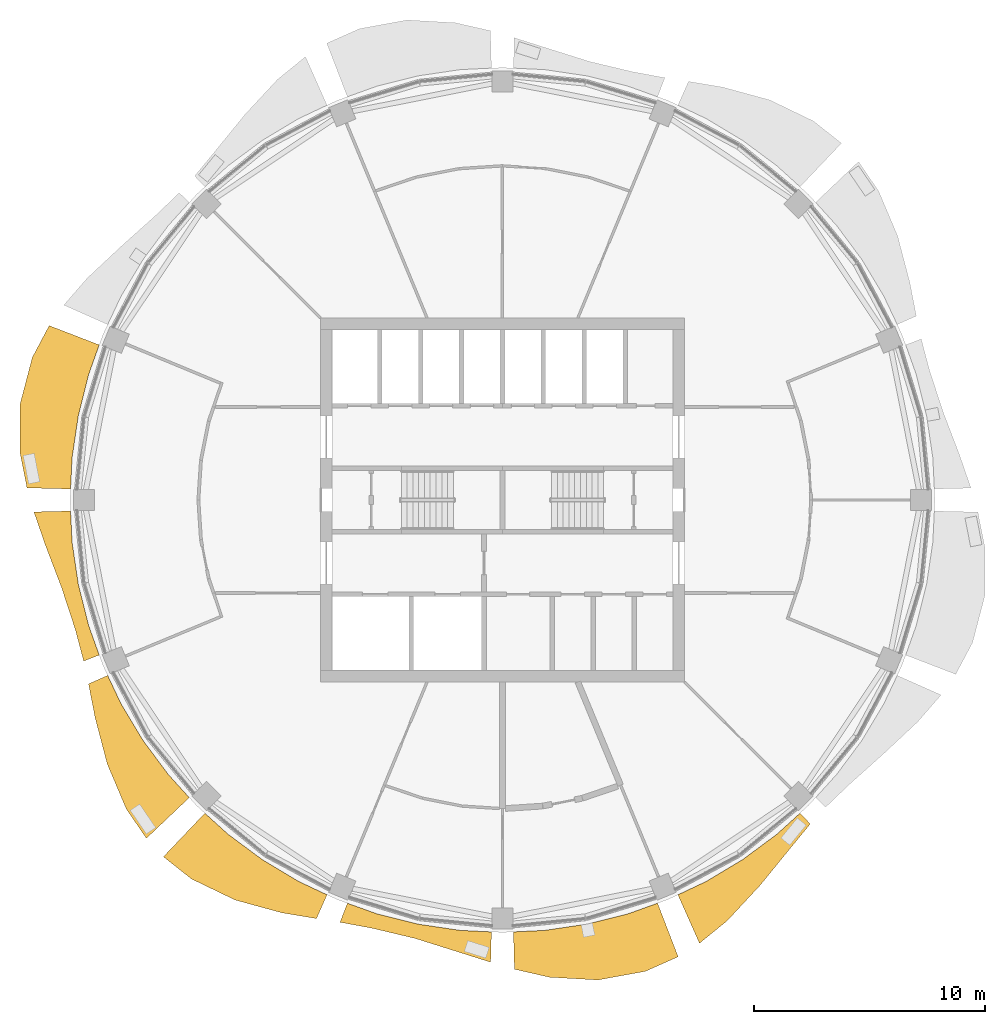
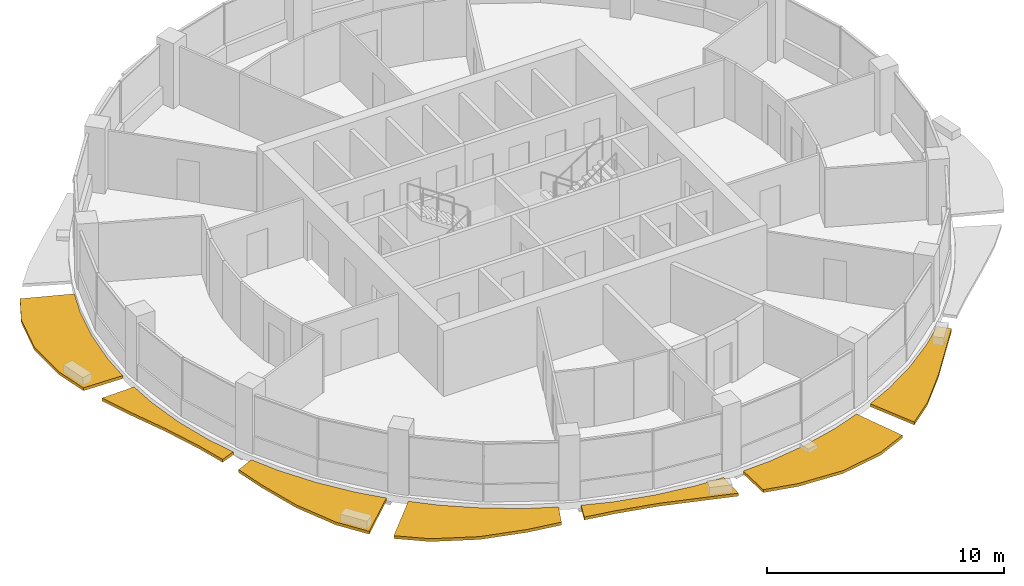
# One storey, part 12 of 15: 7 shading devices.
"""IFC4 building model written with IfcOpenShell, lengths in metres."""

from ifc_helpers import new_model, si_unit, direction, frame, origin, place, context, subcontext, project, spatial, polyline, outline, extrude, material, type_object, element, save


model = new_model("IFC4")

# Units and contexts
model_context = context("Model", 3, precision=1e-05, world=origin(), true_north=direction((0.0, 1.0)))
body_context = subcontext(model_context, "Body", "Model", "MODEL_VIEW")
ifc_project = project(units=[si_unit("LENGTHUNIT", "METRE"), si_unit("AREAUNIT", "SQUARE_METRE"), si_unit("VOLUMEUNIT", "CUBIC_METRE"), si_unit("PLANEANGLEUNIT", "RADIAN"), si_unit("MASSUNIT", "GRAM", prefix="KILO")], contexts=[model_context])

# Site, building, storey
site_placement = place(None, origin())
site = spatial("IfcSite", under=ifc_project, at=site_placement, CompositionType="ELEMENT")
building_placement = place(site_placement, origin())
building = spatial("IfcBuilding", under=site, at=building_placement, Name="Polderwave Tower", CompositionType="ELEMENT")
storey_placement = place(building_placement, frame((0.0, 0.0, 174.25)))
storey = spatial("IfcBuildingStorey", under=building, at=storey_placement, Name="L46", CompositionType="ELEMENT", Elevation=174.25)

# Shading devices
ifc_material = material(Name="Terracotta", Category="masonry")
shading_device_type = type_object("IfcShadingDeviceType", Name="Terracotta sunshade band", PredefinedType="USERDEFINED", material=ifc_material)
shading_device_1_placement = place(storey_placement, frame((0.0, 0.0, -0.35009765625)))
element("IfcShadingDevice", 1, at=shading_device_1_placement, inside=storey, type_object=shading_device_type, Name="Sunshade band L46 8", ObjectType="SUNSHADE", PredefinedType="USERDEFINED", context=body_context, shape_type="SweptSolid", body=[
    extrude(outline(polyline([(-17.437255859375, 6.707275390625), (-17.894775390625, 5.42822265625), (-18.3408203125, 3.648193359375), (-18.610107421875, 1.8330078125), (-18.676513671875, 0.476318359375), (-20.5615234375, 0.524169921875), (-20.86279296875, 2.0546875), (-20.85888671875, 4.149169921875), (-20.330078125, 6.1669921875), (-19.60107421875, 7.539794921875), (-17.437255859375, 6.707275390625)])), origin(), (0.0, 0.0, 1.0), 0.150146484375),
])
shading_device_2_placement = place(storey_placement, frame((0.0, 0.0, -0.35009765625)))
element("IfcShadingDevice", 2, at=shading_device_2_placement, inside=storey, type_object=shading_device_type, Name="Sunshade band L46 9", ObjectType="SUNSHADE", PredefinedType="USERDEFINED", context=body_context, shape_type="SweptSolid", body=[
    extrude(outline(polyline([(-18.676513671875, -0.476318359375), (-18.610107421875, -1.8330078125), (-18.3408203125, -3.648193359375), (-17.894775390625, -5.42822265625), (-17.437255859375, -6.707275390625), (-18.109619140625, -6.9658203125), (-18.470703125, -5.60302734375), (-19.0634765625, -3.7919921875), (-19.767333984375, -1.947021484375), (-20.260009765625, -0.5166015625), (-18.676513671875, -0.476318359375)])), origin(), (0.0, 0.0, 1.0), 0.150146484375),
])
shading_device_3_placement = place(storey_placement, frame((0.0, 0.0, -0.35009765625)))
element("IfcShadingDevice", 3, at=shading_device_3_placement, inside=storey, type_object=shading_device_type, Name="Sunshade band L46 10", ObjectType="SUNSHADE", PredefinedType="USERDEFINED", context=body_context, shape_type="SweptSolid", body=[
    extrude(outline(polyline([(-17.07275390625, -7.587158203125), (-16.491943359375, -8.815185546875), (-15.548583984375, -10.38916015625), (-14.455322265625, -11.86328125), (-13.543212890625, -12.86962890625), (-15.397705078125, -14.632080078125), (-16.270263671875, -13.352783203125), (-17.08935546875, -11.418701171875), (-17.61474609375, -9.415283203125), (-17.899169921875, -7.95458984375), (-17.07275390625, -7.587158203125)])), origin(), (0.0, 0.0, 1.0), 0.150146484375),
])
shading_device_4_placement = place(storey_placement, frame((0.0, 0.0, -0.35009765625)))
element("IfcShadingDevice", 4, at=shading_device_4_placement, inside=storey, type_object=shading_device_type, Name="Sunshade band L46 11", ObjectType="SUNSHADE", PredefinedType="USERDEFINED", context=body_context, shape_type="SweptSolid", body=[
    extrude(outline(polyline([(-12.86962890625, -13.543212890625), (-11.86328125, -14.455322265625), (-10.38916015625, -15.548583984375), (-8.815185546875, -16.491943359375), (-7.587158203125, -17.07275390625), (-8.043701171875, -18.10009765625), (-9.541259765625, -17.850341796875), (-11.55859375, -17.298828125), (-13.44873046875, -16.387451171875), (-14.66064453125, -15.427734375), (-12.86962890625, -13.543212890625)])), origin(), (0.0, 0.0, 1.0), 0.150146484375),
])
shading_device_5_placement = place(storey_placement, frame((0.0, 0.0, -0.35009765625)))
element("IfcShadingDevice", 5, at=shading_device_5_placement, inside=storey, type_object=shading_device_type, Name="Sunshade band L46 12", ObjectType="SUNSHADE", PredefinedType="USERDEFINED", context=body_context, shape_type="SweptSolid", body=[
    extrude(outline(polyline([(-6.707275390625, -17.437255859375), (-5.42822265625, -17.894775390625), (-3.648193359375, -18.3408203125), (-1.8330078125, -18.610107421875), (-0.476318359375, -18.676513671875), (-0.509765625, -19.990478515625), (-1.9248046875, -19.541748046875), (-3.771484375, -18.961181640625), (-5.618408203125, -18.521484375), (-7.023681640625, -18.260009765625), (-6.707275390625, -17.437255859375)])), origin(), (0.0, 0.0, 1.0), 0.150146484375),
])
shading_device_6_placement = place(storey_placement, frame((0.0, 0.0, -0.35009765625)))
element("IfcShadingDevice", 6, at=shading_device_6_placement, inside=storey, type_object=shading_device_type, Name="Sunshade band L46 13", ObjectType="SUNSHADE", PredefinedType="USERDEFINED", context=body_context, shape_type="SweptSolid", body=[
    extrude(outline(polyline([(0.476318359375, -18.676513671875), (1.8330078125, -18.610107421875), (3.648193359375, -18.3408203125), (5.42822265625, -17.894775390625), (6.707275390625, -17.437255859375), (7.597412109375, -19.75146484375), (6.1826171875, -20.381103515625), (4.128662109375, -20.756591796875), (2.03271484375, -20.63720703125), (0.517333984375, -20.292236328125), (0.476318359375, -18.676513671875)])), origin(), (0.0, 0.0, 1.0), 0.150146484375),
])
shading_device_7_placement = place(storey_placement, frame((0.0, 0.0, -0.35009765625)))
element("IfcShadingDevice", 7, at=shading_device_7_placement, inside=storey, type_object=shading_device_type, Name="Sunshade band L46 14", ObjectType="SUNSHADE", PredefinedType="USERDEFINED", context=body_context, shape_type="SweptSolid", body=[
    extrude(outline(polyline([(7.587158203125, -17.07275390625), (8.815185546875, -16.491943359375), (10.38916015625, -15.548583984375), (11.86328125, -14.455322265625), (12.86962890625, -13.543212890625), (13.311767578125, -14.00830078125), (12.40380859375, -15.114013671875), (11.137451171875, -16.668212890625), (9.723388671875, -18.19140625), (8.519287109375, -19.17041015625), (7.587158203125, -17.07275390625)])), origin(), (0.0, 0.0, 1.0), 0.150146484375),
])

save(model, "model.ifc")
